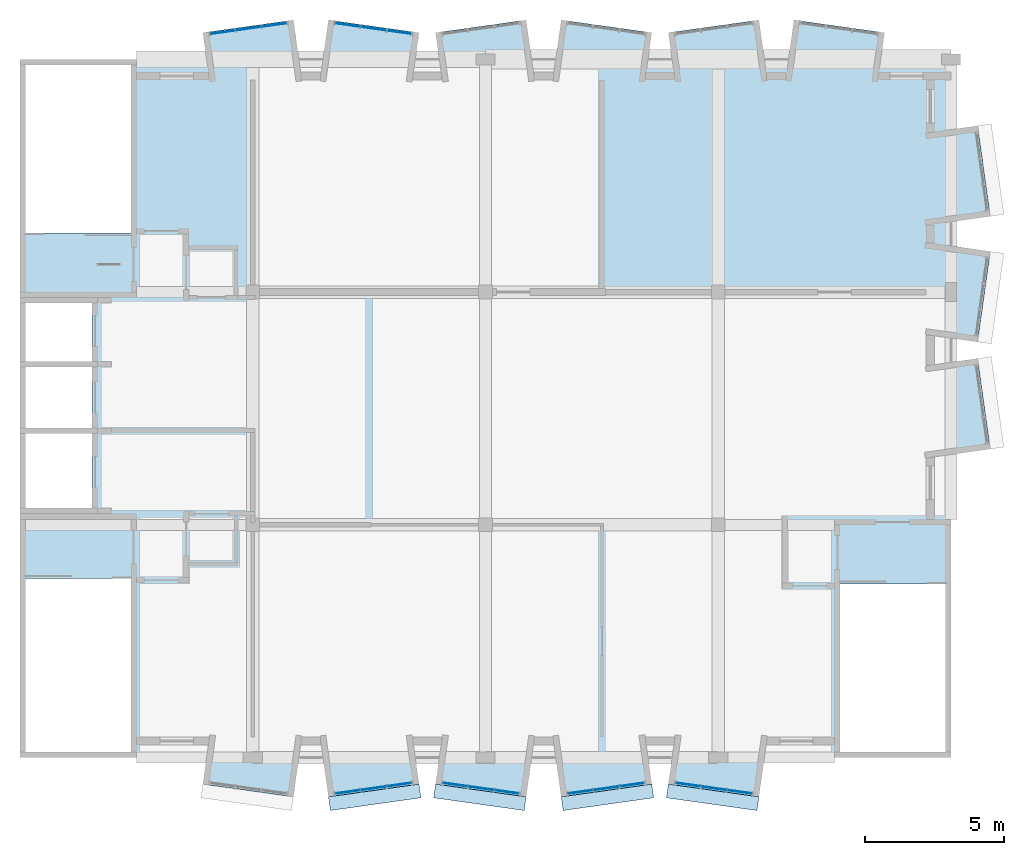
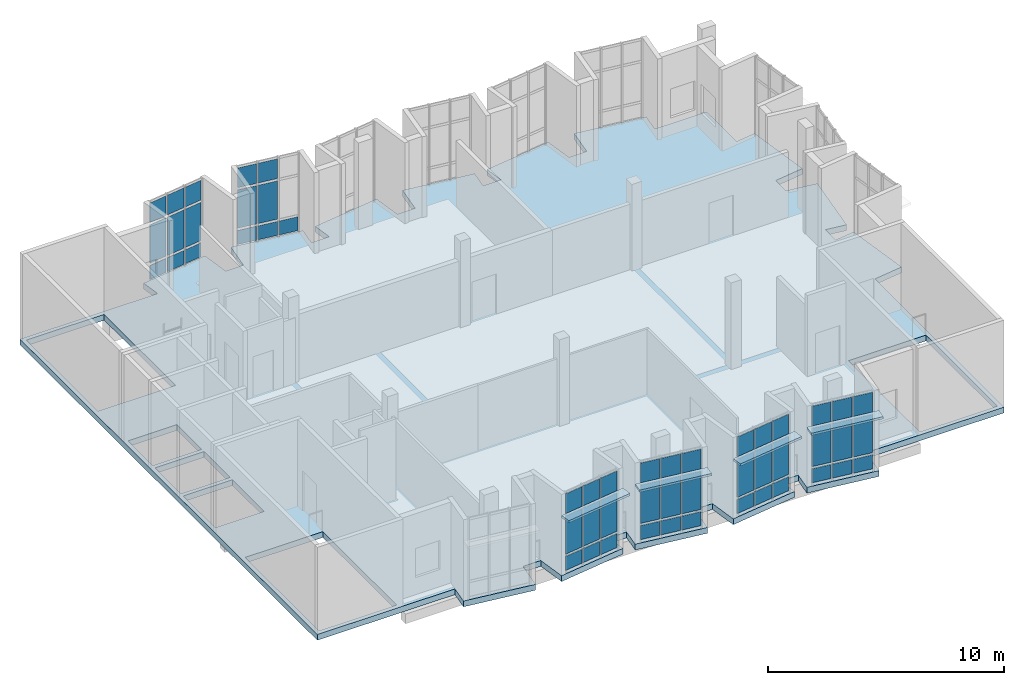
# One storey, part 8 of 15: 56 plates, 1 slab, 6 elements without a shape of their own.
"""IFC4 building model written with IfcOpenShell, lengths in metres."""

from ifc_helpers import new_model, si_unit, direction, frame, origin, origin_2d, place, context, subcontext, project, spatial, polyline, rectangle, outline, extrude, material, layer, layer_set, type_object, element, aggregate, save


model = new_model("IFC4")

# Units and contexts
model_context = context("Model", 3, precision=1e-05, world=origin(), true_north=direction((0.0, 1.0)))
body_context = subcontext(model_context, "Body", "Model", "MODEL_VIEW")
ifc_project = project(units=[si_unit("LENGTHUNIT", "METRE"), si_unit("AREAUNIT", "SQUARE_METRE"), si_unit("VOLUMEUNIT", "CUBIC_METRE"), si_unit("PLANEANGLEUNIT", "RADIAN"), si_unit("MASSUNIT", "GRAM", prefix="KILO")], contexts=[model_context])

# Site, building, storey
site_placement = place(None, origin())
site = spatial("IfcSite", under=ifc_project, at=site_placement, CompositionType="ELEMENT")
building_placement = place(site_placement, origin())
building = spatial("IfcBuilding", under=site, at=building_placement, Name="Kiln Court Media Centre", CompositionType="ELEMENT")
storey_placement = place(building_placement, frame((0.0, 0.0, 38.10009765625)))
storey = spatial("IfcBuildingStorey", under=building, at=storey_placement, Name="L08", CompositionType="ELEMENT", Elevation=38.10009765625)

# Slab
ifc_material_1 = material(Name="Concrete C30/37", Category="concrete")
ifc_layer_1 = layer(ifc_material_1, 0.300048828125)
ifc_layer_set_1 = layer_set([ifc_layer_1], Name="Concrete C30/37 floor slab 300")
slab_type = type_object("IfcSlabType", Name="Concrete C30/37 floor slab 300", PredefinedType="FLOOR", material=ifc_layer_set_1)
slab_placement = place(storey_placement, frame((0.0, 0.0, -0.300048828125)))
element("IfcSlab", 1, at=slab_placement, inside=storey, type_object=slab_type, Name="L08-SL-1000", PredefinedType="FLOOR", context=body_context, shape_type="SweptSolid", body=[
    extrude(outline(polyline([(9.866943359375, -1.41845703125), (6.598876953125, -0.958984375), (6.7333984375, 0.0), (0.0, 0.0), (0.0, 25.199951171875), (6.7333984375, 25.199951171875), (6.598876953125, 26.1591796875), (9.866943359375, 26.618408203125), (10.066650390625, 25.199951171875), (10.933349609375, 25.199951171875), (11.133056640625, 26.618408203125), (14.401123046875, 26.1591796875), (14.2666015625, 25.199951171875), (15.13330078125, 25.199951171875), (14.998779296875, 26.1591796875), (18.266845703125, 26.618408203125), (18.466796875, 25.199951171875), (19.333251953125, 25.199951171875), (19.533203125, 26.618408203125), (22.801025390625, 26.1591796875), (22.666748046875, 25.199951171875), (23.533203125, 25.199951171875), (23.39892578125, 26.1591796875), (26.6669921875, 26.618408203125), (26.86669921875, 25.199951171875), (27.7333984375, 25.199951171875), (27.93310546875, 26.618408203125), (31.201171875, 26.1591796875), (31.066650390625, 25.199951171875), (33.60009765625, 25.199951171875), (33.60009765625, 22.666748046875), (34.55908203125, 22.801025390625), (35.0185546875, 19.533203125), (33.60009765625, 19.333251953125), (33.60009765625, 18.466796875), (35.018310546875, 18.26708984375), (34.55908203125, 14.998779296875), (33.60009765625, 15.13330078125), (33.60009765625, 14.2666015625), (34.55908203125, 14.401123046875), (35.0185546875, 11.133056640625), (33.60009765625, 10.933349609375), (33.60009765625, 0.0), (26.86669921875, 0.0), (26.6669921875, -1.41845703125), (23.39892578125, -0.958984375), (23.533203125, 0.0), (22.666748046875, 0.0), (22.801025390625, -0.959228515625), (19.533203125, -1.41845703125), (19.333251953125, 0.0), (18.466796875, 0.0), (18.266845703125, -1.41845703125), (14.998779296875, -0.958984375), (15.13330078125, 0.0), (14.2666015625, 0.0), (14.401123046875, -0.959228515625), (11.133056640625, -1.41845703125), (10.933349609375, 0.0), (10.066650390625, 0.0), (9.866943359375, -1.41845703125)]), holes=[polyline([(0.199951171875, 0.199951171875), (4.0, 0.199951171875), (4.0, 6.4599609375), (0.199951171875, 6.4599609375), (0.199951171875, 0.199951171875)]), polyline([(29.60009765625, 0.199951171875), (33.39990234375, 0.199951171875), (33.39990234375, 6.260009765625), (29.60009765625, 6.260009765625), (29.60009765625, 0.199951171875)]), polyline([(0.199951171875, 9.0), (2.60009765625, 9.0), (2.60009765625, 11.699951171875), (0.199951171875, 11.699951171875), (0.199951171875, 9.0)]), polyline([(0.199951171875, 11.89990234375), (2.60009765625, 11.89990234375), (2.60009765625, 14.10009765625), (0.199951171875, 14.10009765625), (0.199951171875, 11.89990234375)]), polyline([(0.199951171875, 14.300048828125), (2.60009765625, 14.300048828125), (2.60009765625, 16.39990234375), (0.199951171875, 16.39990234375), (0.199951171875, 14.300048828125)]), polyline([(0.199951171875, 18.93994140625), (4.0, 18.93994140625), (4.0, 25.0), (0.199951171875, 25.0), (0.199951171875, 18.93994140625)])]), origin(), (0.0, 0.0, 1.0), 0.300048828125),
])

# Plates
ifc_material_2 = material(Name="Concrete C30/37", Category="concrete")
ifc_layer_2 = layer(ifc_material_2, 0.1201171875)
ifc_layer_set_2 = layer_set([ifc_layer_2], Name="Concrete C30/37 sunshade hood 120")
plate_type_1 = type_object("IfcPlateType", Name="Concrete C30/37 sunshade hood 120", PredefinedType="USERDEFINED", material=ifc_layer_set_2)
plate_1_placement = place(storey_placement, frame((0.0, 0.0, 3.0)))
element("IfcPlate", 2, at=plate_1_placement, inside=storey, type_object=plate_type_1, Name="SUNSHADE V6A-S-L08-56", ObjectType="SUNSHADE", PredefinedType="USERDEFINED", context=body_context, shape_type="SweptSolid", body=[
    extrude(outline(polyline([(11.133056640625, -1.41796875), (14.40087890625, -0.958740234375), (14.470458984375, -1.453857421875), (11.20263671875, -1.9130859375), (11.133056640625, -1.41796875)])), origin(), (0.0, 0.0, 1.0), 0.119873046875),
])
plate_2_placement = place(storey_placement, frame((0.0, 0.0, 3.0)))
element("IfcPlate", 3, at=plate_2_placement, inside=storey, type_object=plate_type_1, Name="SUNSHADE V6A-S-L08-57", ObjectType="SUNSHADE", PredefinedType="USERDEFINED", context=body_context, shape_type="SweptSolid", body=[
    extrude(outline(polyline([(14.9990234375, -0.958740234375), (18.266845703125, -1.41796875), (18.197265625, -1.9130859375), (14.929443359375, -1.453857421875), (14.9990234375, -0.958740234375)])), origin(), (0.0, 0.0, 1.0), 0.119873046875),
])
plate_3_placement = place(storey_placement, frame((0.0, 0.0, 3.0)))
element("IfcPlate", 4, at=plate_3_placement, inside=storey, type_object=plate_type_1, Name="SUNSHADE V6A-S-L08-58", ObjectType="SUNSHADE", PredefinedType="USERDEFINED", context=body_context, shape_type="SweptSolid", body=[
    extrude(outline(polyline([(19.533203125, -1.41796875), (22.801025390625, -0.958740234375), (22.87060546875, -1.453857421875), (19.602783203125, -1.9130859375), (19.533203125, -1.41796875)])), origin(), (0.0, 0.0, 1.0), 0.119873046875),
])
plate_4_placement = place(storey_placement, frame((0.0, 0.0, 3.0)))
element("IfcPlate", 5, at=plate_4_placement, inside=storey, type_object=plate_type_1, Name="SUNSHADE V6A-S-L08-59", ObjectType="SUNSHADE", PredefinedType="USERDEFINED", context=body_context, shape_type="SweptSolid", body=[
    extrude(outline(polyline([(23.39892578125, -0.958740234375), (26.6669921875, -1.41796875), (26.597412109375, -1.9130859375), (23.32958984375, -1.453857421875), (23.39892578125, -0.958740234375)])), origin(), (0.0, 0.0, 1.0), 0.119873046875),
])

# Curtain wall, plates
ifc_material_3 = material(Name="Aluminium 6063-T6", Category="aluminium")
ifc_layer_3 = layer(ifc_material_3, 0.1201171875)
ifc_layer_set_3 = layer_set([ifc_layer_3], Name="Aluminium unitised bay curtain wall")
curtain_wall_type = type_object("IfcCurtainWallType", Name="Aluminium unitised bay curtain wall", PredefinedType="USERDEFINED", material=ifc_layer_set_3)
curtain_wall_1_placement = place(storey_placement, origin())
curtain_wall_1 = element("IfcCurtainWall", 6, at=curtain_wall_1_placement, inside=storey, type_object=curtain_wall_type, Name="BAY V6A-N-L08-53 front", ObjectType="UNITISED CURTAIN WALL", PredefinedType="USERDEFINED")
ifc_material_4 = material(Name="Aluminium insulated spandrel", Category="aluminium")
ifc_layer_4 = layer(ifc_material_4, 0.028076171875)
ifc_layer_set_4 = layer_set([ifc_layer_4], Name="Insulated spandrel panel 28")
plate_type_2 = type_object("IfcPlateType", Name="Insulated spandrel panel 28", PredefinedType="CURTAIN_PANEL", material=ifc_layer_set_4)
plate_5_placement = place(storey_placement, frame((7.3115234375, 26.177978515625, 0.1201171875), z_axis=(0.0, 0.0, 1.0), x_axis=(0.990269562409, 0.139162472554, 0.0)))
plate_5 = element("IfcPlate", 7, at=plate_5_placement, type_object=plate_type_2, Name="CW8-04 panel 1.1", PredefinedType="CURTAIN_PANEL", context=body_context, shape_type="SweptSolid", body=[
    extrude(rectangle(XDim=0.86669921875, YDim=0.028076171875, at=origin_2d()), origin(), (0.0, 0.0, 1.0), 0.719970703125),
])
plate_6_placement = place(storey_placement, frame((8.244140625, 26.30908203125, 0.1201171875), z_axis=(0.0, 0.0, 1.0), x_axis=(0.990269562409, 0.139162472554, 0.0)))
plate_6 = element("IfcPlate", 8, at=plate_6_placement, type_object=plate_type_2, Name="CW8-04 panel 2.1", PredefinedType="CURTAIN_PANEL", context=body_context, shape_type="SweptSolid", body=[
    extrude(rectangle(XDim=0.896728515625, YDim=0.028076171875, at=origin_2d()), origin(), (0.0, 0.0, 1.0), 0.719970703125),
])
plate_7_placement = place(storey_placement, frame((9.1767578125, 26.440185546875, 0.1201171875), z_axis=(0.0, 0.0, 1.0), x_axis=(0.990269562409, 0.139162472554, 0.0)))
plate_7 = element("IfcPlate", 9, at=plate_7_placement, type_object=plate_type_2, Name="CW8-04 panel 3.1", PredefinedType="CURTAIN_PANEL", context=body_context, shape_type="SweptSolid", body=[
    extrude(rectangle(XDim=0.86669921875, YDim=0.028076171875, at=origin_2d()), origin(), (0.0, 0.0, 1.0), 0.719970703125),
])

curtain_wall_2_placement = place(storey_placement, origin())
curtain_wall_2 = element("IfcCurtainWall", 10, at=curtain_wall_2_placement, inside=storey, type_object=curtain_wall_type, Name="BAY V6A-N-L08-54 front", ObjectType="UNITISED CURTAIN WALL", PredefinedType="USERDEFINED")
plate_8_placement = place(storey_placement, frame((11.8232421875, 26.440185546875, 0.1201171875), z_axis=(0.0, 0.0, 1.0), x_axis=(0.990269562409, -0.139162472554, 0.0)))
plate_8 = element("IfcPlate", 11, at=plate_8_placement, type_object=plate_type_2, Name="CW8-05 panel 1.1", PredefinedType="CURTAIN_PANEL", context=body_context, shape_type="SweptSolid", body=[
    extrude(rectangle(XDim=0.86669921875, YDim=0.028076171875, at=origin_2d()), origin(), (0.0, 0.0, 1.0), 0.719970703125),
])
plate_9_placement = place(storey_placement, frame((12.755859375, 26.30908203125, 0.1201171875), z_axis=(0.0, 0.0, 1.0), x_axis=(0.990269562409, -0.139162472554, 0.0)))
plate_9 = element("IfcPlate", 12, at=plate_9_placement, type_object=plate_type_2, Name="CW8-05 panel 2.1", PredefinedType="CURTAIN_PANEL", context=body_context, shape_type="SweptSolid", body=[
    extrude(rectangle(XDim=0.896728515625, YDim=0.028076171875, at=origin_2d()), origin(), (0.0, 0.0, 1.0), 0.719970703125),
])
plate_10_placement = place(storey_placement, frame((13.6884765625, 26.177978515625, 0.1201171875), z_axis=(0.0, 0.0, 1.0), x_axis=(0.990269562409, -0.139162472554, 0.0)))
plate_10 = element("IfcPlate", 13, at=plate_10_placement, type_object=plate_type_2, Name="CW8-05 panel 3.1", PredefinedType="CURTAIN_PANEL", context=body_context, shape_type="SweptSolid", body=[
    extrude(rectangle(XDim=0.86669921875, YDim=0.028076171875, at=origin_2d()), origin(), (0.0, 0.0, 1.0), 0.719970703125),
])

curtain_wall_3_placement = place(storey_placement, origin())
curtain_wall_3 = element("IfcCurtainWall", 14, at=curtain_wall_3_placement, inside=storey, type_object=curtain_wall_type, Name="BAY V6A-S-L08-56 front", ObjectType="UNITISED CURTAIN WALL", PredefinedType="USERDEFINED")
plate_11_placement = place(storey_placement, frame((11.8232421875, -1.240234375, 0.1201171875), z_axis=(0.0, 0.0, 1.0), x_axis=(0.990269562409, 0.139162472554, 0.0)))
plate_11 = element("IfcPlate", 15, at=plate_11_placement, type_object=plate_type_2, Name="CW8-11 panel 1.1", PredefinedType="CURTAIN_PANEL", context=body_context, shape_type="SweptSolid", body=[
    extrude(rectangle(XDim=0.86669921875, YDim=0.028076171875, at=origin_2d()), origin(), (0.0, 0.0, 1.0), 0.719970703125),
])
plate_12_placement = place(storey_placement, frame((12.755859375, -1.109130859375, 0.1201171875), z_axis=(0.0, 0.0, 1.0), x_axis=(0.990269562409, 0.139162472554, 0.0)))
plate_12 = element("IfcPlate", 16, at=plate_12_placement, type_object=plate_type_2, Name="CW8-11 panel 2.1", PredefinedType="CURTAIN_PANEL", context=body_context, shape_type="SweptSolid", body=[
    extrude(rectangle(XDim=0.896728515625, YDim=0.028076171875, at=origin_2d()), origin(), (0.0, 0.0, 1.0), 0.719970703125),
])
plate_13_placement = place(storey_placement, frame((13.6884765625, -0.97802734375, 0.1201171875), z_axis=(0.0, 0.0, 1.0), x_axis=(0.990269562409, 0.139162472554, 0.0)))
plate_13 = element("IfcPlate", 17, at=plate_13_placement, type_object=plate_type_2, Name="CW8-11 panel 3.1", PredefinedType="CURTAIN_PANEL", context=body_context, shape_type="SweptSolid", body=[
    extrude(rectangle(XDim=0.86669921875, YDim=0.028076171875, at=origin_2d()), origin(), (0.0, 0.0, 1.0), 0.719970703125),
])

curtain_wall_4_placement = place(storey_placement, origin())
curtain_wall_4 = element("IfcCurtainWall", 18, at=curtain_wall_4_placement, inside=storey, type_object=curtain_wall_type, Name="BAY V6A-S-L08-57 front", ObjectType="UNITISED CURTAIN WALL", PredefinedType="USERDEFINED")
plate_14_placement = place(storey_placement, frame((15.711669921875, -0.97802734375, 0.1201171875), z_axis=(0.0, 0.0, 1.0), x_axis=(0.990269562409, -0.139162472554, 0.0)))
plate_14 = element("IfcPlate", 19, at=plate_14_placement, type_object=plate_type_2, Name="CW8-12 panel 1.1", PredefinedType="CURTAIN_PANEL", context=body_context, shape_type="SweptSolid", body=[
    extrude(rectangle(XDim=0.86669921875, YDim=0.028076171875, at=origin_2d()), origin(), (0.0, 0.0, 1.0), 0.719970703125),
])
plate_15_placement = place(storey_placement, frame((16.64404296875, -1.109130859375, 0.1201171875), z_axis=(0.0, 0.0, 1.0), x_axis=(0.990269562409, -0.139162472554, 0.0)))
plate_15 = element("IfcPlate", 20, at=plate_15_placement, type_object=plate_type_2, Name="CW8-12 panel 2.1", PredefinedType="CURTAIN_PANEL", context=body_context, shape_type="SweptSolid", body=[
    extrude(rectangle(XDim=0.896728515625, YDim=0.028076171875, at=origin_2d()), origin(), (0.0, 0.0, 1.0), 0.719970703125),
])
plate_16_placement = place(storey_placement, frame((17.57666015625, -1.240234375, 0.1201171875), z_axis=(0.0, 0.0, 1.0), x_axis=(0.990269562409, -0.139162472554, 0.0)))
plate_16 = element("IfcPlate", 21, at=plate_16_placement, type_object=plate_type_2, Name="CW8-12 panel 3.1", PredefinedType="CURTAIN_PANEL", context=body_context, shape_type="SweptSolid", body=[
    extrude(rectangle(XDim=0.86669921875, YDim=0.028076171875, at=origin_2d()), origin(), (0.0, 0.0, 1.0), 0.719970703125),
])

curtain_wall_5_placement = place(storey_placement, origin())
curtain_wall_5 = element("IfcCurtainWall", 22, at=curtain_wall_5_placement, inside=storey, type_object=curtain_wall_type, Name="BAY V6A-S-L08-58 front", ObjectType="UNITISED CURTAIN WALL", PredefinedType="USERDEFINED")
plate_17_placement = place(storey_placement, frame((20.223388671875, -1.240234375, 0.1201171875), z_axis=(0.0, 0.0, 1.0), x_axis=(0.990269562409, 0.139162472554, 0.0)))
plate_17 = element("IfcPlate", 23, at=plate_17_placement, type_object=plate_type_2, Name="CW8-13 panel 1.1", PredefinedType="CURTAIN_PANEL", context=body_context, shape_type="SweptSolid", body=[
    extrude(rectangle(XDim=0.86669921875, YDim=0.028076171875, at=origin_2d()), origin(), (0.0, 0.0, 1.0), 0.719970703125),
])
plate_18_placement = place(storey_placement, frame((21.15576171875, -1.109130859375, 0.1201171875), z_axis=(0.0, 0.0, 1.0), x_axis=(0.990269562409, 0.139162472554, 0.0)))
plate_18 = element("IfcPlate", 24, at=plate_18_placement, type_object=plate_type_2, Name="CW8-13 panel 2.1", PredefinedType="CURTAIN_PANEL", context=body_context, shape_type="SweptSolid", body=[
    extrude(rectangle(XDim=0.896728515625, YDim=0.028076171875, at=origin_2d()), origin(), (0.0, 0.0, 1.0), 0.719970703125),
])
plate_19_placement = place(storey_placement, frame((22.08837890625, -0.97802734375, 0.1201171875), z_axis=(0.0, 0.0, 1.0), x_axis=(0.990269562409, 0.139162472554, 0.0)))
plate_19 = element("IfcPlate", 25, at=plate_19_placement, type_object=plate_type_2, Name="CW8-13 panel 3.1", PredefinedType="CURTAIN_PANEL", context=body_context, shape_type="SweptSolid", body=[
    extrude(rectangle(XDim=0.86669921875, YDim=0.028076171875, at=origin_2d()), origin(), (0.0, 0.0, 1.0), 0.719970703125),
])

curtain_wall_6_placement = place(storey_placement, origin())
curtain_wall_6 = element("IfcCurtainWall", 26, at=curtain_wall_6_placement, inside=storey, type_object=curtain_wall_type, Name="BAY V6A-S-L08-59 front", ObjectType="UNITISED CURTAIN WALL", PredefinedType="USERDEFINED")
plate_20_placement = place(storey_placement, frame((24.111572265625, -0.97802734375, 0.1201171875), z_axis=(0.0, 0.0, 1.0), x_axis=(0.990269562409, -0.139162472554, 0.0)))
plate_20 = element("IfcPlate", 27, at=plate_20_placement, type_object=plate_type_2, Name="CW8-14 panel 1.1", PredefinedType="CURTAIN_PANEL", context=body_context, shape_type="SweptSolid", body=[
    extrude(rectangle(XDim=0.86669921875, YDim=0.028076171875, at=origin_2d()), origin(), (0.0, 0.0, 1.0), 0.719970703125),
])
plate_21_placement = place(storey_placement, frame((25.044189453125, -1.109130859375, 0.1201171875), z_axis=(0.0, 0.0, 1.0), x_axis=(0.990269562409, -0.139162472554, 0.0)))
plate_21 = element("IfcPlate", 28, at=plate_21_placement, type_object=plate_type_2, Name="CW8-14 panel 2.1", PredefinedType="CURTAIN_PANEL", context=body_context, shape_type="SweptSolid", body=[
    extrude(rectangle(XDim=0.896728515625, YDim=0.028076171875, at=origin_2d()), origin(), (0.0, 0.0, 1.0), 0.719970703125),
])
plate_22_placement = place(storey_placement, frame((25.9765625, -1.240234375, 0.1201171875), z_axis=(0.0, 0.0, 1.0), x_axis=(0.990269562409, -0.139162472554, 0.0)))
plate_22 = element("IfcPlate", 29, at=plate_22_placement, type_object=plate_type_2, Name="CW8-14 panel 3.1", PredefinedType="CURTAIN_PANEL", context=body_context, shape_type="SweptSolid", body=[
    extrude(rectangle(XDim=0.86669921875, YDim=0.028076171875, at=origin_2d()), origin(), (0.0, 0.0, 1.0), 0.719970703125),
])

# Plate
ifc_material_5 = material(Name="Low-E double glazing", Category="glass")
ifc_layer_5 = layer(ifc_material_5, 0.028076171875)
ifc_layer_set_5 = layer_set([ifc_layer_5], Name="Low-E double glazed panel 28")
plate_type_3 = type_object("IfcPlateType", Name="Low-E double glazed panel 28", PredefinedType="CURTAIN_PANEL", material=ifc_layer_set_5)
plate_23_placement = place(storey_placement, frame((7.3115234375, 26.177978515625, 0.9599609375), z_axis=(0.0, 0.0, 1.0), x_axis=(0.990269562409, 0.139162472554, 0.0)))
plate_23 = element("IfcPlate", 30, at=plate_23_placement, type_object=plate_type_3, Name="CW8-04 panel 1.2", PredefinedType="CURTAIN_PANEL", context=body_context, shape_type="SweptSolid", body=[
    extrude(rectangle(XDim=0.86669921875, YDim=0.028076171875, at=origin_2d()), origin(), (0.0, 0.0, 1.0), 1.97998046875),
])

plate_24_placement = place(storey_placement, frame((7.3115234375, 26.177978515625, 3.059814453125), z_axis=(0.0, 0.0, 1.0), x_axis=(0.990269562409, 0.139162472554, 0.0)))
plate_24 = element("IfcPlate", 31, at=plate_24_placement, type_object=plate_type_3, Name="CW8-04 panel 1.3", PredefinedType="CURTAIN_PANEL", context=body_context, shape_type="SweptSolid", body=[
    extrude(rectangle(XDim=0.86669921875, YDim=0.028076171875, at=origin_2d()), origin(), (0.0, 0.0, 1.0), 1.02001953125),
])

plate_25_placement = place(storey_placement, frame((8.244140625, 26.30908203125, 0.9599609375), z_axis=(0.0, 0.0, 1.0), x_axis=(0.990269562409, 0.139162472554, 0.0)))
plate_25 = element("IfcPlate", 32, at=plate_25_placement, type_object=plate_type_3, Name="CW8-04 panel 2.2", PredefinedType="CURTAIN_PANEL", context=body_context, shape_type="SweptSolid", body=[
    extrude(rectangle(XDim=0.896728515625, YDim=0.028076171875, at=origin_2d()), origin(), (0.0, 0.0, 1.0), 1.97998046875),
])

plate_26_placement = place(storey_placement, frame((8.244140625, 26.30908203125, 3.059814453125), z_axis=(0.0, 0.0, 1.0), x_axis=(0.990269562409, 0.139162472554, 0.0)))
plate_26 = element("IfcPlate", 33, at=plate_26_placement, type_object=plate_type_3, Name="CW8-04 panel 2.3", PredefinedType="CURTAIN_PANEL", context=body_context, shape_type="SweptSolid", body=[
    extrude(rectangle(XDim=0.896728515625, YDim=0.028076171875, at=origin_2d()), origin(), (0.0, 0.0, 1.0), 1.02001953125),
])

plate_27_placement = place(storey_placement, frame((9.1767578125, 26.440185546875, 0.9599609375), z_axis=(0.0, 0.0, 1.0), x_axis=(0.990269562409, 0.139162472554, 0.0)))
plate_27 = element("IfcPlate", 34, at=plate_27_placement, type_object=plate_type_3, Name="CW8-04 panel 3.2", PredefinedType="CURTAIN_PANEL", context=body_context, shape_type="SweptSolid", body=[
    extrude(rectangle(XDim=0.86669921875, YDim=0.028076171875, at=origin_2d()), origin(), (0.0, 0.0, 1.0), 1.97998046875),
])

plate_28_placement = place(storey_placement, frame((9.1767578125, 26.440185546875, 3.059814453125), z_axis=(0.0, 0.0, 1.0), x_axis=(0.990269562409, 0.139162472554, 0.0)))
plate_28 = element("IfcPlate", 35, at=plate_28_placement, type_object=plate_type_3, Name="CW8-04 panel 3.3", PredefinedType="CURTAIN_PANEL", context=body_context, shape_type="SweptSolid", body=[
    extrude(rectangle(XDim=0.86669921875, YDim=0.028076171875, at=origin_2d()), origin(), (0.0, 0.0, 1.0), 1.02001953125),
])

aggregate(curtain_wall_1, [plate_5, plate_23, plate_24, plate_6, plate_25, plate_26, plate_7, plate_27, plate_28])

plate_29_placement = place(storey_placement, frame((11.8232421875, 26.440185546875, 0.9599609375), z_axis=(0.0, 0.0, 1.0), x_axis=(0.990269562409, -0.139162472554, 0.0)))
plate_29 = element("IfcPlate", 36, at=plate_29_placement, type_object=plate_type_3, Name="CW8-05 panel 1.2", PredefinedType="CURTAIN_PANEL", context=body_context, shape_type="SweptSolid", body=[
    extrude(rectangle(XDim=0.86669921875, YDim=0.028076171875, at=origin_2d()), origin(), (0.0, 0.0, 1.0), 1.97998046875),
])

plate_30_placement = place(storey_placement, frame((11.8232421875, 26.440185546875, 3.059814453125), z_axis=(0.0, 0.0, 1.0), x_axis=(0.990269562409, -0.139162472554, 0.0)))
plate_30 = element("IfcPlate", 37, at=plate_30_placement, type_object=plate_type_3, Name="CW8-05 panel 1.3", PredefinedType="CURTAIN_PANEL", context=body_context, shape_type="SweptSolid", body=[
    extrude(rectangle(XDim=0.86669921875, YDim=0.028076171875, at=origin_2d()), origin(), (0.0, 0.0, 1.0), 1.02001953125),
])

plate_31_placement = place(storey_placement, frame((12.755859375, 26.30908203125, 0.9599609375), z_axis=(0.0, 0.0, 1.0), x_axis=(0.990269562409, -0.139162472554, 0.0)))
plate_31 = element("IfcPlate", 38, at=plate_31_placement, type_object=plate_type_3, Name="CW8-05 panel 2.2", PredefinedType="CURTAIN_PANEL", context=body_context, shape_type="SweptSolid", body=[
    extrude(rectangle(XDim=0.896728515625, YDim=0.028076171875, at=origin_2d()), origin(), (0.0, 0.0, 1.0), 1.97998046875),
])

plate_32_placement = place(storey_placement, frame((12.755859375, 26.30908203125, 3.059814453125), z_axis=(0.0, 0.0, 1.0), x_axis=(0.990269562409, -0.139162472554, 0.0)))
plate_32 = element("IfcPlate", 39, at=plate_32_placement, type_object=plate_type_3, Name="CW8-05 panel 2.3", PredefinedType="CURTAIN_PANEL", context=body_context, shape_type="SweptSolid", body=[
    extrude(rectangle(XDim=0.896728515625, YDim=0.028076171875, at=origin_2d()), origin(), (0.0, 0.0, 1.0), 1.02001953125),
])

aggregate(curtain_wall_2, [plate_8, plate_29, plate_30, plate_9, plate_31, plate_32, plate_10])

plate_33_placement = place(storey_placement, frame((11.8232421875, -1.240234375, 0.9599609375), z_axis=(0.0, 0.0, 1.0), x_axis=(0.990269562409, 0.139162472554, 0.0)))
plate_33 = element("IfcPlate", 40, at=plate_33_placement, type_object=plate_type_3, Name="CW8-11 panel 1.2", PredefinedType="CURTAIN_PANEL", context=body_context, shape_type="SweptSolid", body=[
    extrude(rectangle(XDim=0.86669921875, YDim=0.028076171875, at=origin_2d()), origin(), (0.0, 0.0, 1.0), 1.97998046875),
])

plate_34_placement = place(storey_placement, frame((11.8232421875, -1.240234375, 3.059814453125), z_axis=(0.0, 0.0, 1.0), x_axis=(0.990269562409, 0.139162472554, 0.0)))
plate_34 = element("IfcPlate", 41, at=plate_34_placement, type_object=plate_type_3, Name="CW8-11 panel 1.3", PredefinedType="CURTAIN_PANEL", context=body_context, shape_type="SweptSolid", body=[
    extrude(rectangle(XDim=0.86669921875, YDim=0.028076171875, at=origin_2d()), origin(), (0.0, 0.0, 1.0), 1.02001953125),
])

plate_35_placement = place(storey_placement, frame((12.755859375, -1.109130859375, 0.9599609375), z_axis=(0.0, 0.0, 1.0), x_axis=(0.990269562409, 0.139162472554, 0.0)))
plate_35 = element("IfcPlate", 42, at=plate_35_placement, type_object=plate_type_3, Name="CW8-11 panel 2.2", PredefinedType="CURTAIN_PANEL", context=body_context, shape_type="SweptSolid", body=[
    extrude(rectangle(XDim=0.896728515625, YDim=0.028076171875, at=origin_2d()), origin(), (0.0, 0.0, 1.0), 1.97998046875),
])

plate_36_placement = place(storey_placement, frame((12.755859375, -1.109130859375, 3.059814453125), z_axis=(0.0, 0.0, 1.0), x_axis=(0.990269562409, 0.139162472554, 0.0)))
plate_36 = element("IfcPlate", 43, at=plate_36_placement, type_object=plate_type_3, Name="CW8-11 panel 2.3", PredefinedType="CURTAIN_PANEL", context=body_context, shape_type="SweptSolid", body=[
    extrude(rectangle(XDim=0.896728515625, YDim=0.028076171875, at=origin_2d()), origin(), (0.0, 0.0, 1.0), 1.02001953125),
])

plate_37_placement = place(storey_placement, frame((13.6884765625, -0.97802734375, 0.9599609375), z_axis=(0.0, 0.0, 1.0), x_axis=(0.990269562409, 0.139162472554, 0.0)))
plate_37 = element("IfcPlate", 44, at=plate_37_placement, type_object=plate_type_3, Name="CW8-11 panel 3.2", PredefinedType="CURTAIN_PANEL", context=body_context, shape_type="SweptSolid", body=[
    extrude(rectangle(XDim=0.86669921875, YDim=0.028076171875, at=origin_2d()), origin(), (0.0, 0.0, 1.0), 1.97998046875),
])

plate_38_placement = place(storey_placement, frame((13.6884765625, -0.97802734375, 3.059814453125), z_axis=(0.0, 0.0, 1.0), x_axis=(0.990269562409, 0.139162472554, 0.0)))
plate_38 = element("IfcPlate", 45, at=plate_38_placement, type_object=plate_type_3, Name="CW8-11 panel 3.3", PredefinedType="CURTAIN_PANEL", context=body_context, shape_type="SweptSolid", body=[
    extrude(rectangle(XDim=0.86669921875, YDim=0.028076171875, at=origin_2d()), origin(), (0.0, 0.0, 1.0), 1.02001953125),
])

aggregate(curtain_wall_3, [plate_11, plate_33, plate_34, plate_12, plate_35, plate_36, plate_13, plate_37, plate_38])

plate_39_placement = place(storey_placement, frame((15.711669921875, -0.97802734375, 0.9599609375), z_axis=(0.0, 0.0, 1.0), x_axis=(0.990269562409, -0.139162472554, 0.0)))
plate_39 = element("IfcPlate", 46, at=plate_39_placement, type_object=plate_type_3, Name="CW8-12 panel 1.2", PredefinedType="CURTAIN_PANEL", context=body_context, shape_type="SweptSolid", body=[
    extrude(rectangle(XDim=0.86669921875, YDim=0.028076171875, at=origin_2d()), origin(), (0.0, 0.0, 1.0), 1.97998046875),
])

plate_40_placement = place(storey_placement, frame((15.711669921875, -0.97802734375, 3.059814453125), z_axis=(0.0, 0.0, 1.0), x_axis=(0.990269562409, -0.139162472554, 0.0)))
plate_40 = element("IfcPlate", 47, at=plate_40_placement, type_object=plate_type_3, Name="CW8-12 panel 1.3", PredefinedType="CURTAIN_PANEL", context=body_context, shape_type="SweptSolid", body=[
    extrude(rectangle(XDim=0.86669921875, YDim=0.028076171875, at=origin_2d()), origin(), (0.0, 0.0, 1.0), 1.02001953125),
])

plate_41_placement = place(storey_placement, frame((16.64404296875, -1.109130859375, 0.9599609375), z_axis=(0.0, 0.0, 1.0), x_axis=(0.990269562409, -0.139162472554, 0.0)))
plate_41 = element("IfcPlate", 48, at=plate_41_placement, type_object=plate_type_3, Name="CW8-12 panel 2.2", PredefinedType="CURTAIN_PANEL", context=body_context, shape_type="SweptSolid", body=[
    extrude(rectangle(XDim=0.896728515625, YDim=0.028076171875, at=origin_2d()), origin(), (0.0, 0.0, 1.0), 1.97998046875),
])

plate_42_placement = place(storey_placement, frame((16.64404296875, -1.109130859375, 3.059814453125), z_axis=(0.0, 0.0, 1.0), x_axis=(0.990269562409, -0.139162472554, 0.0)))
plate_42 = element("IfcPlate", 49, at=plate_42_placement, type_object=plate_type_3, Name="CW8-12 panel 2.3", PredefinedType="CURTAIN_PANEL", context=body_context, shape_type="SweptSolid", body=[
    extrude(rectangle(XDim=0.896728515625, YDim=0.028076171875, at=origin_2d()), origin(), (0.0, 0.0, 1.0), 1.02001953125),
])

plate_43_placement = place(storey_placement, frame((17.57666015625, -1.240234375, 0.9599609375), z_axis=(0.0, 0.0, 1.0), x_axis=(0.990269562409, -0.139162472554, 0.0)))
plate_43 = element("IfcPlate", 50, at=plate_43_placement, type_object=plate_type_3, Name="CW8-12 panel 3.2", PredefinedType="CURTAIN_PANEL", context=body_context, shape_type="SweptSolid", body=[
    extrude(rectangle(XDim=0.86669921875, YDim=0.028076171875, at=origin_2d()), origin(), (0.0, 0.0, 1.0), 1.97998046875),
])

plate_44_placement = place(storey_placement, frame((17.57666015625, -1.240234375, 3.059814453125), z_axis=(0.0, 0.0, 1.0), x_axis=(0.990269562409, -0.139162472554, 0.0)))
plate_44 = element("IfcPlate", 51, at=plate_44_placement, type_object=plate_type_3, Name="CW8-12 panel 3.3", PredefinedType="CURTAIN_PANEL", context=body_context, shape_type="SweptSolid", body=[
    extrude(rectangle(XDim=0.86669921875, YDim=0.028076171875, at=origin_2d()), origin(), (0.0, 0.0, 1.0), 1.02001953125),
])

aggregate(curtain_wall_4, [plate_14, plate_39, plate_40, plate_15, plate_41, plate_42, plate_16, plate_43, plate_44])

plate_45_placement = place(storey_placement, frame((20.223388671875, -1.240234375, 0.9599609375), z_axis=(0.0, 0.0, 1.0), x_axis=(0.990269562409, 0.139162472554, 0.0)))
plate_45 = element("IfcPlate", 52, at=plate_45_placement, type_object=plate_type_3, Name="CW8-13 panel 1.2", PredefinedType="CURTAIN_PANEL", context=body_context, shape_type="SweptSolid", body=[
    extrude(rectangle(XDim=0.86669921875, YDim=0.028076171875, at=origin_2d()), origin(), (0.0, 0.0, 1.0), 1.97998046875),
])

plate_46_placement = place(storey_placement, frame((20.223388671875, -1.240234375, 3.059814453125), z_axis=(0.0, 0.0, 1.0), x_axis=(0.990269562409, 0.139162472554, 0.0)))
plate_46 = element("IfcPlate", 53, at=plate_46_placement, type_object=plate_type_3, Name="CW8-13 panel 1.3", PredefinedType="CURTAIN_PANEL", context=body_context, shape_type="SweptSolid", body=[
    extrude(rectangle(XDim=0.86669921875, YDim=0.028076171875, at=origin_2d()), origin(), (0.0, 0.0, 1.0), 1.02001953125),
])

plate_47_placement = place(storey_placement, frame((21.15576171875, -1.109130859375, 0.9599609375), z_axis=(0.0, 0.0, 1.0), x_axis=(0.990269562409, 0.139162472554, 0.0)))
plate_47 = element("IfcPlate", 54, at=plate_47_placement, type_object=plate_type_3, Name="CW8-13 panel 2.2", PredefinedType="CURTAIN_PANEL", context=body_context, shape_type="SweptSolid", body=[
    extrude(rectangle(XDim=0.896728515625, YDim=0.028076171875, at=origin_2d()), origin(), (0.0, 0.0, 1.0), 1.97998046875),
])

plate_48_placement = place(storey_placement, frame((21.15576171875, -1.109130859375, 3.059814453125), z_axis=(0.0, 0.0, 1.0), x_axis=(0.990269562409, 0.139162472554, 0.0)))
plate_48 = element("IfcPlate", 55, at=plate_48_placement, type_object=plate_type_3, Name="CW8-13 panel 2.3", PredefinedType="CURTAIN_PANEL", context=body_context, shape_type="SweptSolid", body=[
    extrude(rectangle(XDim=0.896728515625, YDim=0.028076171875, at=origin_2d()), origin(), (0.0, 0.0, 1.0), 1.02001953125),
])

plate_49_placement = place(storey_placement, frame((22.08837890625, -0.97802734375, 0.9599609375), z_axis=(0.0, 0.0, 1.0), x_axis=(0.990269562409, 0.139162472554, 0.0)))
plate_49 = element("IfcPlate", 56, at=plate_49_placement, type_object=plate_type_3, Name="CW8-13 panel 3.2", PredefinedType="CURTAIN_PANEL", context=body_context, shape_type="SweptSolid", body=[
    extrude(rectangle(XDim=0.86669921875, YDim=0.028076171875, at=origin_2d()), origin(), (0.0, 0.0, 1.0), 1.97998046875),
])

plate_50_placement = place(storey_placement, frame((22.08837890625, -0.97802734375, 3.059814453125), z_axis=(0.0, 0.0, 1.0), x_axis=(0.990269562409, 0.139162472554, 0.0)))
plate_50 = element("IfcPlate", 57, at=plate_50_placement, type_object=plate_type_3, Name="CW8-13 panel 3.3", PredefinedType="CURTAIN_PANEL", context=body_context, shape_type="SweptSolid", body=[
    extrude(rectangle(XDim=0.86669921875, YDim=0.028076171875, at=origin_2d()), origin(), (0.0, 0.0, 1.0), 1.02001953125),
])

aggregate(curtain_wall_5, [plate_17, plate_45, plate_46, plate_18, plate_47, plate_48, plate_19, plate_49, plate_50])

plate_51_placement = place(storey_placement, frame((24.111572265625, -0.97802734375, 0.9599609375), z_axis=(0.0, 0.0, 1.0), x_axis=(0.990269562409, -0.139162472554, 0.0)))
plate_51 = element("IfcPlate", 58, at=plate_51_placement, type_object=plate_type_3, Name="CW8-14 panel 1.2", PredefinedType="CURTAIN_PANEL", context=body_context, shape_type="SweptSolid", body=[
    extrude(rectangle(XDim=0.86669921875, YDim=0.028076171875, at=origin_2d()), origin(), (0.0, 0.0, 1.0), 1.97998046875),
])

plate_52_placement = place(storey_placement, frame((24.111572265625, -0.97802734375, 3.059814453125), z_axis=(0.0, 0.0, 1.0), x_axis=(0.990269562409, -0.139162472554, 0.0)))
plate_52 = element("IfcPlate", 59, at=plate_52_placement, type_object=plate_type_3, Name="CW8-14 panel 1.3", PredefinedType="CURTAIN_PANEL", context=body_context, shape_type="SweptSolid", body=[
    extrude(rectangle(XDim=0.86669921875, YDim=0.028076171875, at=origin_2d()), origin(), (0.0, 0.0, 1.0), 1.02001953125),
])

plate_53_placement = place(storey_placement, frame((25.044189453125, -1.109130859375, 0.9599609375), z_axis=(0.0, 0.0, 1.0), x_axis=(0.990269562409, -0.139162472554, 0.0)))
plate_53 = element("IfcPlate", 60, at=plate_53_placement, type_object=plate_type_3, Name="CW8-14 panel 2.2", PredefinedType="CURTAIN_PANEL", context=body_context, shape_type="SweptSolid", body=[
    extrude(rectangle(XDim=0.896728515625, YDim=0.028076171875, at=origin_2d()), origin(), (0.0, 0.0, 1.0), 1.97998046875),
])

plate_54_placement = place(storey_placement, frame((25.044189453125, -1.109130859375, 3.059814453125), z_axis=(0.0, 0.0, 1.0), x_axis=(0.990269562409, -0.139162472554, 0.0)))
plate_54 = element("IfcPlate", 61, at=plate_54_placement, type_object=plate_type_3, Name="CW8-14 panel 2.3", PredefinedType="CURTAIN_PANEL", context=body_context, shape_type="SweptSolid", body=[
    extrude(rectangle(XDim=0.896728515625, YDim=0.028076171875, at=origin_2d()), origin(), (0.0, 0.0, 1.0), 1.02001953125),
])

plate_55_placement = place(storey_placement, frame((25.9765625, -1.240234375, 0.9599609375), z_axis=(0.0, 0.0, 1.0), x_axis=(0.990269562409, -0.139162472554, 0.0)))
plate_55 = element("IfcPlate", 62, at=plate_55_placement, type_object=plate_type_3, Name="CW8-14 panel 3.2", PredefinedType="CURTAIN_PANEL", context=body_context, shape_type="SweptSolid", body=[
    extrude(rectangle(XDim=0.86669921875, YDim=0.028076171875, at=origin_2d()), origin(), (0.0, 0.0, 1.0), 1.97998046875),
])

plate_56_placement = place(storey_placement, frame((25.9765625, -1.240234375, 3.059814453125), z_axis=(0.0, 0.0, 1.0), x_axis=(0.990269562409, -0.139162472554, 0.0)))
plate_56 = element("IfcPlate", 63, at=plate_56_placement, type_object=plate_type_3, Name="CW8-14 panel 3.3", PredefinedType="CURTAIN_PANEL", context=body_context, shape_type="SweptSolid", body=[
    extrude(rectangle(XDim=0.86669921875, YDim=0.028076171875, at=origin_2d()), origin(), (0.0, 0.0, 1.0), 1.02001953125),
])

aggregate(curtain_wall_6, [plate_20, plate_51, plate_52, plate_21, plate_53, plate_54, plate_22, plate_55, plate_56])

save(model, "model.ifc")
